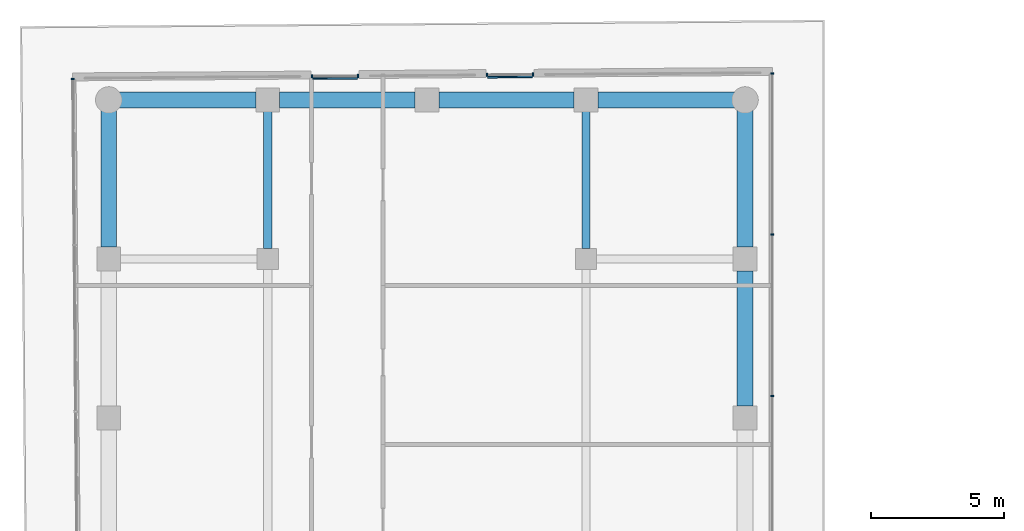
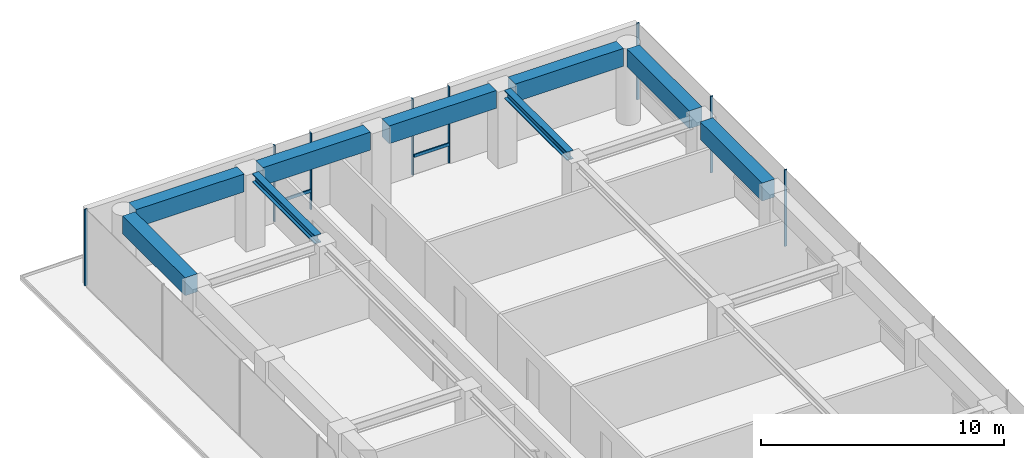
# One storey, part 14 of 21: 10 members, 9 beams, 4 elements without a shape of their own.
"""IFC4 building model written with IfcOpenShell, lengths in metres."""

from ifc_helpers import new_model, si_unit, direction, frame, origin, origin_2d, place, context, subcontext, project, spatial, rectangle, i_section, extrude, material, layer, layer_set, material_profile, profile_set, type_object, element, aggregate, save


model = new_model("IFC4")

# Units and contexts
model_context = context("Model", 3, precision=1e-05, world=origin(), true_north=direction((0.0, 1.0)))
body_context = subcontext(model_context, "Body", "Model", "MODEL_VIEW")
ifc_project = project(units=[si_unit("LENGTHUNIT", "METRE"), si_unit("AREAUNIT", "SQUARE_METRE"), si_unit("VOLUMEUNIT", "CUBIC_METRE"), si_unit("PLANEANGLEUNIT", "RADIAN"), si_unit("MASSUNIT", "GRAM", prefix="KILO")], contexts=[model_context])

# Site, building, storey
site_placement = place(None, origin())
site = spatial("IfcSite", under=ifc_project, at=site_placement, CompositionType="ELEMENT")
building_placement = place(site_placement, origin())
building = spatial("IfcBuilding", under=site, at=building_placement, Name="Welwitschia Terrace Campus", CompositionType="ELEMENT")
storey_placement = place(building_placement, frame((0.0, 0.0, 108.800048828125)))
storey = spatial("IfcBuildingStorey", under=building, at=storey_placement, Name="L24", CompositionType="ELEMENT", Elevation=108.800048828125)

# Beams
ifc_material_1 = material(Name="Steel S355", Category="steel")
ifc_material_profile_1 = material_profile(ifc_material_1, i_section(OverallWidth=0.306884765625, OverallDepth=0.431884765625, WebThickness=0.02099609375, FlangeThickness=0.0400390625, FilletRadius=0.027099609375, at=origin_2d()))
ifc_profile_set_1 = profile_set([ifc_material_profile_1], Name="Steel S355")
beam_type_1 = type_object("IfcBeamType", Name="Interior girder HE 400 M", PredefinedType="BEAM", material=ifc_profile_set_1)
for number, where, z_axis, x_axis, name in (
    (1, (6.0, 64.400390625, 3.634033203125), (0.0, 1.0, 0.0), (-1.0, 0.0, 0.0), "Girder GB3"),
    (2, (18.0, 64.400390625, 3.634033203125), (0.0, 1.0, 0.0), (-1.0, 0.0, 0.0), "Girder GB3"),
):
    element("IfcBeam", number, at=place(storey_placement, frame(where, z_axis=z_axis, x_axis=x_axis)), inside=storey, type_object=beam_type_1, Name=name, PredefinedType="BEAM", context=body_context, shape_type="SweptSolid", body=[
        extrude(i_section(OverallWidth=0.306884765625, OverallDepth=0.431884765625, WebThickness=0.02099609375, FlangeThickness=0.0400390625, FilletRadius=0.027099609375, at=origin_2d()), origin(), (0.0, 0.0, 1.0), 5.1591796875),
    ])

# Curtain wall, member
ifc_material_2 = material(Name="Bronze anodised aluminium", Category="aluminium")
ifc_layer = layer(ifc_material_2, 0.1201171875)
ifc_layer_set = layer_set([ifc_layer], Name="Bronze anodised aluminium")
curtain_wall_type = type_object("IfcCurtainWallType", Name="Curtain wall CW2 tower 6000", PredefinedType="NOTDEFINED", material=ifc_layer_set)
curtain_wall_1_placement = place(storey_placement, origin())
curtain_wall_1 = element("IfcCurtainWall", 3, at=curtain_wall_1_placement, inside=storey, type_object=curtain_wall_type, Name="CW L24.0.0", PredefinedType="NOTDEFINED")
ifc_material_3 = material(Name="Bronze anodised aluminium", Category="aluminium")
ifc_material_profile_2 = material_profile(ifc_material_3, rectangle(XDim=0.1201171875, YDim=0.06005859375, at=origin_2d()))
ifc_profile_set_2 = profile_set([ifc_material_profile_2], Name="Bronze anodised aluminium")
member_type_1 = type_object("IfcMemberType", Name="Mullion 60x120", PredefinedType="MULLION", material=ifc_profile_set_2)
member_1_placement = place(storey_placement, frame((-1.359130859375, 70.791748046875, 0.0), z_axis=(0.0, 0.0, 1.0), x_axis=(0.999961923064, 0.008726535498, 0.0)))
member_1 = element("IfcMember", 4, at=member_1_placement, type_object=member_type_1, Name="Mullion L24.0.0.0", PredefinedType="MULLION", context=body_context, shape_type="SweptSolid", body=[
    extrude(rectangle(XDim=0.1201171875, YDim=0.06005859375, at=origin_2d()), origin(), (0.0, 0.0, 1.0), 3.849853515625),
])
aggregate(curtain_wall_1, [member_1])

# Curtain wall, members
curtain_wall_2_placement = place(storey_placement, origin())
curtain_wall_2 = element("IfcCurtainWall", 5, at=curtain_wall_2_placement, inside=storey, type_object=curtain_wall_type, Name="CW L24.10.0", PredefinedType="NOTDEFINED")
member_2_placement = place(storey_placement, frame((25.030029296875, 58.832275390625, 0.0), z_axis=(0.0, 0.0, 1.0), x_axis=(-1.0, 0.0, 0.0)))
member_2 = element("IfcMember", 6, at=member_2_placement, type_object=member_type_1, Name="Mullion L24.10.0.4", PredefinedType="MULLION", context=body_context, shape_type="SweptSolid", body=[
    extrude(rectangle(XDim=0.1201171875, YDim=0.06005859375, at=origin_2d()), origin(), (0.0, 0.0, 1.0), 3.849853515625),
])
member_3_placement = place(storey_placement, frame((25.030029296875, 64.93115234375, 0.0), z_axis=(0.0, 0.0, 1.0), x_axis=(-1.0, 0.0, 0.0)))
member_3 = element("IfcMember", 7, at=member_3_placement, type_object=member_type_1, Name="Mullion L24.10.0.5", PredefinedType="MULLION", context=body_context, shape_type="SweptSolid", body=[
    extrude(rectangle(XDim=0.1201171875, YDim=0.06005859375, at=origin_2d()), origin(), (0.0, 0.0, 1.0), 3.849853515625),
])
member_4_placement = place(storey_placement, frame((25.030029296875, 71.000244140625, 0.0), z_axis=(0.0, 0.0, 1.0), x_axis=(-1.0, 0.0, 0.0)))
member_4 = element("IfcMember", 8, at=member_4_placement, type_object=member_type_1, Name="Mullion L24.10.0.6", PredefinedType="MULLION", context=body_context, shape_type="SweptSolid", body=[
    extrude(rectangle(XDim=0.1201171875, YDim=0.06005859375, at=origin_2d()), origin(), (0.0, 0.0, 1.0), 3.849853515625),
])
aggregate(curtain_wall_2, [member_2, member_3, member_4])

curtain_wall_3_placement = place(storey_placement, origin())
curtain_wall_3 = element("IfcCurtainWall", 9, at=curtain_wall_3_placement, inside=storey, type_object=curtain_wall_type, Name="CW L24.11.S0", PredefinedType="NOTDEFINED")
member_5_placement = place(storey_placement, frame((16.00390625, 70.958984375, 0.0), z_axis=(0.0, 0.0, 1.0), x_axis=(0.007902588985, -0.999968774056, 0.0)))
member_5 = element("IfcMember", 10, at=member_5_placement, type_object=member_type_1, Name="Mullion L24.11.S0.0", PredefinedType="MULLION", context=body_context, shape_type="SweptSolid", body=[
    extrude(rectangle(XDim=0.1201171875, YDim=0.06005859375, at=origin_2d()), origin(), (0.0, 0.0, 1.0), 3.849853515625),
])
member_6_placement = place(storey_placement, frame((14.263916015625, 70.945068359375, 0.0), z_axis=(0.0, 0.0, 1.0), x_axis=(0.007902588985, -0.999968774056, 0.0)))
member_6 = element("IfcMember", 11, at=member_6_placement, type_object=member_type_1, Name="Mullion L24.11.S0.1", PredefinedType="MULLION", context=body_context, shape_type="SweptSolid", body=[
    extrude(rectangle(XDim=0.1201171875, YDim=0.06005859375, at=origin_2d()), origin(), (0.0, 0.0, 1.0), 3.849853515625),
])

curtain_wall_4_placement = place(storey_placement, origin())
curtain_wall_4 = element("IfcCurtainWall", 12, at=curtain_wall_4_placement, inside=storey, type_object=curtain_wall_type, Name="CW L24.11.S1", PredefinedType="NOTDEFINED")
member_7_placement = place(storey_placement, frame((9.406494140625, 70.90673828125, 0.0), z_axis=(0.0, 0.0, 1.0), x_axis=(0.007902588985, -0.999968774056, 0.0)))
member_7 = element("IfcMember", 13, at=member_7_placement, type_object=member_type_1, Name="Mullion L24.11.S1.0", PredefinedType="MULLION", context=body_context, shape_type="SweptSolid", body=[
    extrude(rectangle(XDim=0.1201171875, YDim=0.06005859375, at=origin_2d()), origin(), (0.0, 0.0, 1.0), 3.849853515625),
])
member_8_placement = place(storey_placement, frame((7.666748046875, 70.89306640625, 0.0), z_axis=(0.0, 0.0, 1.0), x_axis=(0.007902588985, -0.999968774056, 0.0)))
member_8 = element("IfcMember", 14, at=member_8_placement, type_object=member_type_1, Name="Mullion L24.11.S1.1", PredefinedType="MULLION", context=body_context, shape_type="SweptSolid", body=[
    extrude(rectangle(XDim=0.1201171875, YDim=0.06005859375, at=origin_2d()), origin(), (0.0, 0.0, 1.0), 3.849853515625),
])

# Beams
ifc_material_4 = material(Name="Concrete C60/75", Category="concrete")
ifc_material_profile_3 = material_profile(ifc_material_4, rectangle(XDim=0.60009765625, YDim=0.89990234375, at=origin_2d()))
ifc_profile_set_3 = profile_set([ifc_material_profile_3], Name="Concrete C60/75")
beam_type_2 = type_object("IfcBeamType", Name="Ring spandrel 600x900", PredefinedType="SPANDREL", material=ifc_profile_set_3)
beam_placement = place(storey_placement, frame((24.0, 58.450439453125, 3.39990234375), z_axis=(0.0, 1.0, 0.0), x_axis=(-1.0, 0.0, 0.0)))
element("IfcBeam", 15, at=beam_placement, inside=storey, type_object=beam_type_2, Name="Spandrel SP2", PredefinedType="SPANDREL", context=body_context, shape_type="SweptSolid", body=[
    extrude(rectangle(XDim=0.60009765625, YDim=0.89990234375, at=origin_2d()), origin(), (0.0, 0.0, 1.0), 5.09912109375),
])
for number, where, z_axis, x_axis, name in (
    (16, (24.0, 64.450439453125, 3.39990234375), (0.0, 1.0, 0.0), (-1.0, 0.0, 0.0), "Spandrel SP2"),
    (17, (23.599609375, 70.0, 3.39990234375), (-1.0, 0.0, 0.0), (0.0, -1.0, 0.0), "Spandrel SP2"),
):
    element("IfcBeam", number, at=place(storey_placement, frame(where, z_axis=z_axis, x_axis=x_axis)), inside=storey, type_object=beam_type_2, Name=name, PredefinedType="SPANDREL", context=body_context, shape_type="SweptSolid", body=[
        extrude(rectangle(XDim=0.60009765625, YDim=0.89990234375, at=origin_2d()), origin(), (0.0, 0.0, 1.0), 5.149169921875),
    ])
for number, where, z_axis, x_axis, name in (
    (18, (17.549560546875, 70.0, 3.39990234375), (-1.0, 0.0, 0.0), (0.0, -1.0, 0.0), "Spandrel SP2"),
    (19, (11.549560546875, 70.0, 3.39990234375), (-1.0, 0.0, 0.0), (0.0, -1.0, 0.0), "Spandrel SP2"),
):
    element("IfcBeam", number, at=place(storey_placement, frame(where, z_axis=z_axis, x_axis=x_axis)), inside=storey, type_object=beam_type_2, Name=name, PredefinedType="SPANDREL", context=body_context, shape_type="SweptSolid", body=[
        extrude(rectangle(XDim=0.60009765625, YDim=0.89990234375, at=origin_2d()), origin(), (0.0, 0.0, 1.0), 5.09912109375),
    ])
for number, where, z_axis, x_axis, name in (
    (20, (5.549560546875, 70.0, 3.39990234375), (-1.0, 0.0, 0.0), (0.0, -1.0, 0.0), "Spandrel SP2"),
    (21, (0.0, 69.599609375, 3.39990234375), (0.0, -1.0, 0.0), (1.0, 0.0, 0.0), "Spandrel SP2"),
):
    element("IfcBeam", number, at=place(storey_placement, frame(where, z_axis=z_axis, x_axis=x_axis)), inside=storey, type_object=beam_type_2, Name=name, PredefinedType="SPANDREL", context=body_context, shape_type="SweptSolid", body=[
        extrude(rectangle(XDim=0.60009765625, YDim=0.89990234375, at=origin_2d()), origin(), (0.0, 0.0, 1.0), 5.149169921875),
    ])

# Member
ifc_material_5 = material(Name="Bronze anodised aluminium", Category="aluminium")
ifc_material_profile_4 = material_profile(ifc_material_5, rectangle(XDim=0.06005859375, YDim=0.14990234375, at=origin_2d()))
ifc_profile_set_4 = profile_set([ifc_material_profile_4], Name="Bronze anodised aluminium")
member_type_2 = type_object("IfcMemberType", Name="Transom 60x150", PredefinedType="USERDEFINED", material=ifc_profile_set_4)
member_9_placement = place(storey_placement, frame((15.974609375, 70.86865234375, 1.0), z_axis=(-0.999969208252, -0.007847454911, 0.0), x_axis=(0.007847454911, -0.999969208252, 0.0)))
member_9 = element("IfcMember", 22, at=member_9_placement, type_object=member_type_2, Name="Transom L24.11.S0", ObjectType="TRANSOM", PredefinedType="USERDEFINED", context=body_context, shape_type="SweptSolid", body=[
    extrude(rectangle(XDim=0.06005859375, YDim=0.14990234375, at=origin_2d()), origin(), (0.0, 0.0, 1.0), 1.679931640625),
])

aggregate(curtain_wall_3, [member_5, member_6, member_9])

member_10_placement = place(storey_placement, frame((9.377197265625, 70.816650390625, 1.0), z_axis=(-0.999968057312, -0.007992768951, 0.0), x_axis=(0.007992768951, -0.999968057312, 0.0)))
member_10 = element("IfcMember", 23, at=member_10_placement, type_object=member_type_2, Name="Transom L24.11.S1", ObjectType="TRANSOM", PredefinedType="USERDEFINED", context=body_context, shape_type="SweptSolid", body=[
    extrude(rectangle(XDim=0.06005859375, YDim=0.14990234375, at=origin_2d()), origin(), (0.0, 0.0, 1.0), 1.679931640625),
])

aggregate(curtain_wall_4, [member_7, member_8, member_10])

save(model, "model.ifc")
